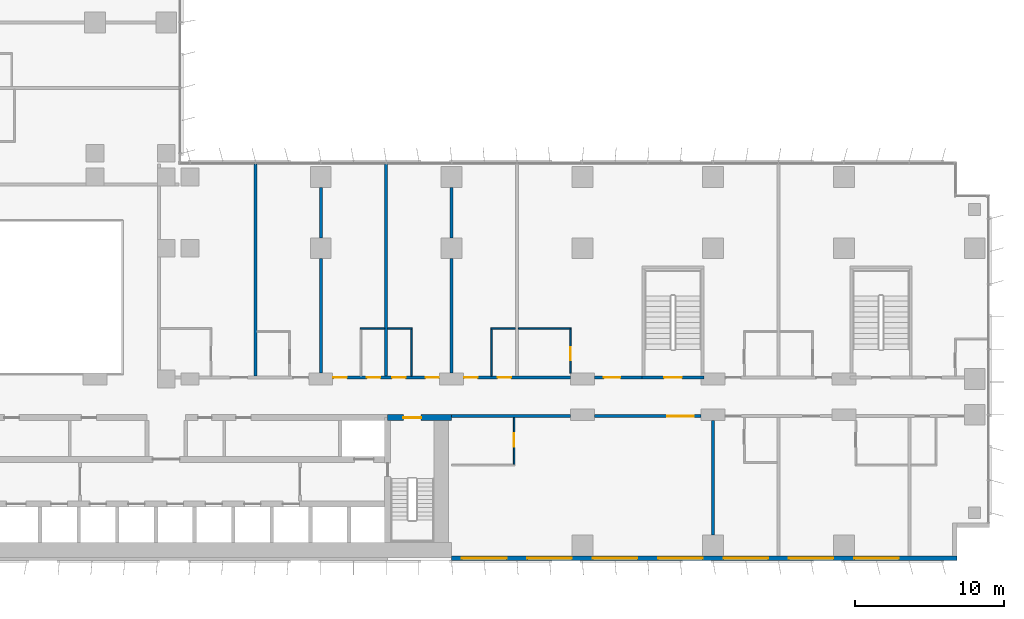
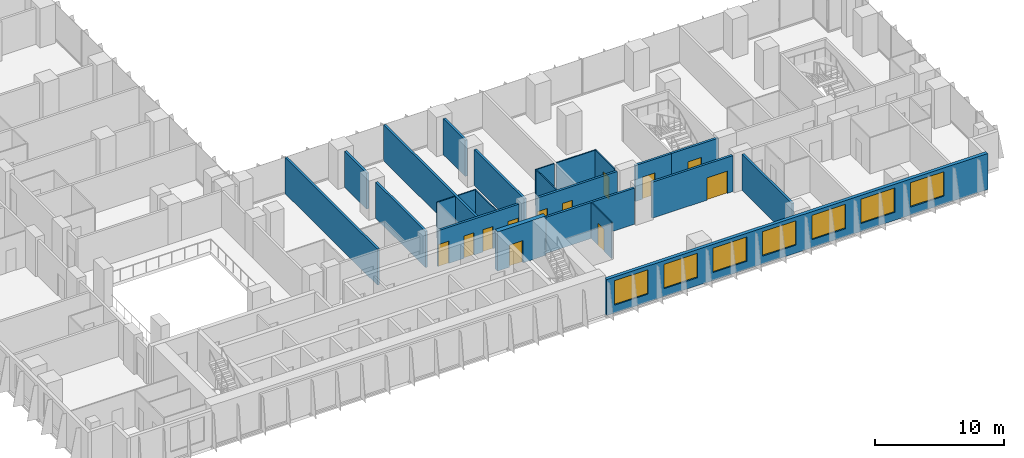
# One storey, part 14 of 24: 23 walls, 12 doors, 7 windows, 19 openings.
"""IFC4 building model written with IfcOpenShell, lengths in metres."""

from ifc_helpers import new_model, si_unit, direction, frame, frame_2d, origin, place, context, subcontext, project, spatial, rectangle, extrude, material, layer, layer_set, type_object, element, fill, save


model = new_model("IFC4")

# Units and contexts
model_context = context("Model", 3, precision=1e-05, world=origin(), true_north=direction((0.0, 1.0)))
body_context = subcontext(model_context, "Body", "Model", "MODEL_VIEW")
ifc_project = project(units=[si_unit("LENGTHUNIT", "METRE"), si_unit("AREAUNIT", "SQUARE_METRE"), si_unit("VOLUMEUNIT", "CUBIC_METRE"), si_unit("PLANEANGLEUNIT", "RADIAN"), si_unit("MASSUNIT", "GRAM", prefix="KILO")], contexts=[model_context])

# Site, building, storey
site_placement = place(None, origin())
site = spatial("IfcSite", under=ifc_project, at=site_placement, CompositionType="ELEMENT")
building_placement = place(site_placement, origin())
building = spatial("IfcBuilding", under=site, at=building_placement, Name="Kemantara Hotel Tower", CompositionType="ELEMENT")
storey_placement = place(building_placement, frame((0.0, 0.0, 63.60009765625)))
storey = spatial("IfcBuildingStorey", under=building, at=storey_placement, Name="L14", CompositionType="ELEMENT", Elevation=63.60009765625)

# Wall, openings, windows
ifc_material_1 = material(Name="Bronze anodised aluminium cladding on insulated steel stud wall", Category="steel")
ifc_layer_1 = layer(ifc_material_1, 0.300048828125)
ifc_layer_set_1 = layer_set([ifc_layer_1], Name="Bronze anodised aluminium cladding on insulated steel stud wall")
wall_type_1 = type_object("IfcWallType", Name="BRONZE METAL-CLAD EXTERNAL WALL 300", PredefinedType="STANDARD", material=ifc_layer_set_1)
wall_1_placement = place(storey_placement, frame((45.0, 0.14990234375, 0.0), z_axis=(0.0, 0.0, 1.0), x_axis=(1.0, 0.0, 0.0)))
wall_1 = element("IfcWall", 1, at=wall_1_placement, inside=storey, type_object=wall_type_1, Name="EXTERNAL WALL L14 T1-R01-3", PredefinedType="STANDARD", context=body_context, shape_type="SweptSolid", body=[
    extrude(rectangle(XDim=34.0, YDim=0.300048828125, at=frame_2d((17.0, 0.0))), origin(), (0.0, 0.0, 1.0), 3.39990234375),
])
opening_1_placement = place(wall_1_placement, frame((0.699951171875, 0.0, 0.75)))
opening_1 = element("IfcOpeningElement", 2, at=opening_1_placement, cuts=wall_1, Name="Opening W1", PredefinedType="OPENING", context=body_context, shape_type="SweptSolid", body=[
    extrude(rectangle(XDim=3.0, YDim=2.300048828125, at=frame_2d((1.5, 1.14990234375))), frame((0.0, 0.159912109375, 0.0), z_axis=(0.0, -1.0, 0.0), x_axis=(1.0, 0.0, 0.0)), (0.0, 0.0, 1.0), 0.320068359375),
])
opening_2_placement = place(wall_1_placement, frame((5.10009765625, 0.0, 0.75)))
opening_2 = element("IfcOpeningElement", 3, at=opening_2_placement, cuts=wall_1, Name="Opening W1", PredefinedType="OPENING", context=body_context, shape_type="SweptSolid", body=[
    extrude(rectangle(XDim=3.0, YDim=2.300048828125, at=frame_2d((1.5, 1.14990234375))), frame((0.0, 0.159912109375, 0.0), z_axis=(0.0, -1.0, 0.0), x_axis=(1.0, 0.0, 0.0)), (0.0, 0.0, 1.0), 0.320068359375),
])
opening_3_placement = place(wall_1_placement, frame((9.5, 0.0, 0.75)))
opening_3 = element("IfcOpeningElement", 4, at=opening_3_placement, cuts=wall_1, Name="Opening W1", PredefinedType="OPENING", context=body_context, shape_type="SweptSolid", body=[
    extrude(rectangle(XDim=3.0, YDim=2.300048828125, at=frame_2d((1.5, 1.14990234375))), frame((0.0, 0.159912109375, 0.0), z_axis=(0.0, -1.0, 0.0), x_axis=(1.0, 0.0, 0.0)), (0.0, 0.0, 1.0), 0.320068359375),
])
opening_4_placement = place(wall_1_placement, frame((13.89990234375, 0.0, 0.75)))
opening_4 = element("IfcOpeningElement", 5, at=opening_4_placement, cuts=wall_1, Name="Opening W1", PredefinedType="OPENING", context=body_context, shape_type="SweptSolid", body=[
    extrude(rectangle(XDim=3.0, YDim=2.300048828125, at=frame_2d((1.5, 1.14990234375))), frame((0.0, 0.159912109375, 0.0), z_axis=(0.0, -1.0, 0.0), x_axis=(1.0, 0.0, 0.0)), (0.0, 0.0, 1.0), 0.320068359375),
])
opening_5_placement = place(wall_1_placement, frame((18.300048828125, 0.0, 0.75)))
opening_5 = element("IfcOpeningElement", 6, at=opening_5_placement, cuts=wall_1, Name="Opening W1", PredefinedType="OPENING", context=body_context, shape_type="SweptSolid", body=[
    extrude(rectangle(XDim=3.0, YDim=2.300048828125, at=frame_2d((1.5, 1.14990234375))), frame((0.0, 0.159912109375, 0.0), z_axis=(0.0, -1.0, 0.0), x_axis=(1.0, 0.0, 0.0)), (0.0, 0.0, 1.0), 0.320068359375),
])
opening_6_placement = place(wall_1_placement, frame((22.699951171875, 0.0, 0.75)))
opening_6 = element("IfcOpeningElement", 7, at=opening_6_placement, cuts=wall_1, Name="Opening W1", PredefinedType="OPENING", context=body_context, shape_type="SweptSolid", body=[
    extrude(rectangle(XDim=3.0, YDim=2.300048828125, at=frame_2d((1.5, 1.14990234375))), frame((0.0, 0.159912109375, 0.0), z_axis=(0.0, -1.0, 0.0), x_axis=(1.0, 0.0, 0.0)), (0.0, 0.0, 1.0), 0.320068359375),
])
opening_7_placement = place(wall_1_placement, frame((27.10009765625, 0.0, 0.75)))
opening_7 = element("IfcOpeningElement", 8, at=opening_7_placement, cuts=wall_1, Name="Opening W1", PredefinedType="OPENING", context=body_context, shape_type="SweptSolid", body=[
    extrude(rectangle(XDim=3.0, YDim=2.300048828125, at=frame_2d((1.5, 1.14990234375))), frame((0.0, 0.159912109375, 0.0), z_axis=(0.0, -1.0, 0.0), x_axis=(1.0, 0.0, 0.0)), (0.0, 0.0, 1.0), 0.320068359375),
])
ifc_material_2 = material(Name="Low-E tinted double insulated glass in bronze anodised aluminium frame", Category="aluminium")
window_type = type_object("IfcWindowType", Name="CHICAGO WINDOW, TRIPLE PANEL 3000x2300", PartitioningType="TRIPLE_PANEL_VERTICAL", PredefinedType="WINDOW", material=ifc_material_2)
window_1_placement = place(opening_1_placement, origin())
window_1 = element("IfcWindow", 9, at=window_1_placement, inside=storey, type_object=window_type, Name="CHICAGO WINDOW L14 T1-R01-450", OverallHeight=2.300048828125, OverallWidth=3.0, PartitioningType="SINGLE_PANEL", PredefinedType="WINDOW", context=body_context, shape_type="SweptSolid", body=[
    extrude(rectangle(XDim=3.0, YDim=2.300048828125, at=frame_2d((1.5, 1.14990234375))), frame((0.0, 0.030029296875, 0.0), z_axis=(0.0, -1.0, 0.0), x_axis=(1.0, 0.0, 0.0)), (0.0, 0.0, 1.0), 0.06005859375),
])
fill(opening_1, window_1)
window_2_placement = place(opening_2_placement, origin())
window_2 = element("IfcWindow", 10, at=window_2_placement, inside=storey, type_object=window_type, Name="CHICAGO WINDOW L14 T1-R01-494", OverallHeight=2.300048828125, OverallWidth=3.0, PartitioningType="SINGLE_PANEL", PredefinedType="WINDOW", context=body_context, shape_type="SweptSolid", body=[
    extrude(rectangle(XDim=3.0, YDim=2.300048828125, at=frame_2d((1.5, 1.14990234375))), frame((0.0, 0.030029296875, 0.0), z_axis=(0.0, -1.0, 0.0), x_axis=(1.0, 0.0, 0.0)), (0.0, 0.0, 1.0), 0.06005859375),
])
fill(opening_2, window_2)
window_3_placement = place(opening_3_placement, origin())
window_3 = element("IfcWindow", 11, at=window_3_placement, inside=storey, type_object=window_type, Name="CHICAGO WINDOW L14 T1-R01-538", OverallHeight=2.300048828125, OverallWidth=3.0, PartitioningType="SINGLE_PANEL", PredefinedType="WINDOW", context=body_context, shape_type="SweptSolid", body=[
    extrude(rectangle(XDim=3.0, YDim=2.300048828125, at=frame_2d((1.5, 1.14990234375))), frame((0.0, 0.030029296875, 0.0), z_axis=(0.0, -1.0, 0.0), x_axis=(1.0, 0.0, 0.0)), (0.0, 0.0, 1.0), 0.06005859375),
])
fill(opening_3, window_3)
window_4_placement = place(opening_4_placement, origin())
window_4 = element("IfcWindow", 12, at=window_4_placement, inside=storey, type_object=window_type, Name="CHICAGO WINDOW L14 T1-R01-582", OverallHeight=2.300048828125, OverallWidth=3.0, PartitioningType="SINGLE_PANEL", PredefinedType="WINDOW", context=body_context, shape_type="SweptSolid", body=[
    extrude(rectangle(XDim=3.0, YDim=2.300048828125, at=frame_2d((1.5, 1.14990234375))), frame((0.0, 0.030029296875, 0.0), z_axis=(0.0, -1.0, 0.0), x_axis=(1.0, 0.0, 0.0)), (0.0, 0.0, 1.0), 0.06005859375),
])
fill(opening_4, window_4)
window_5_placement = place(opening_5_placement, origin())
window_5 = element("IfcWindow", 13, at=window_5_placement, inside=storey, type_object=window_type, Name="CHICAGO WINDOW L14 T1-R01-626", OverallHeight=2.300048828125, OverallWidth=3.0, PartitioningType="SINGLE_PANEL", PredefinedType="WINDOW", context=body_context, shape_type="SweptSolid", body=[
    extrude(rectangle(XDim=3.0, YDim=2.300048828125, at=frame_2d((1.5, 1.14990234375))), frame((0.0, 0.030029296875, 0.0), z_axis=(0.0, -1.0, 0.0), x_axis=(1.0, 0.0, 0.0)), (0.0, 0.0, 1.0), 0.06005859375),
])
fill(opening_5, window_5)
window_6_placement = place(opening_6_placement, origin())
window_6 = element("IfcWindow", 14, at=window_6_placement, inside=storey, type_object=window_type, Name="CHICAGO WINDOW L14 T1-R01-670", OverallHeight=2.300048828125, OverallWidth=3.0, PartitioningType="SINGLE_PANEL", PredefinedType="WINDOW", context=body_context, shape_type="SweptSolid", body=[
    extrude(rectangle(XDim=3.0, YDim=2.300048828125, at=frame_2d((1.5, 1.14990234375))), frame((0.0, 0.030029296875, 0.0), z_axis=(0.0, -1.0, 0.0), x_axis=(1.0, 0.0, 0.0)), (0.0, 0.0, 1.0), 0.06005859375),
])
fill(opening_6, window_6)
window_7_placement = place(opening_7_placement, origin())
window_7 = element("IfcWindow", 15, at=window_7_placement, inside=storey, type_object=window_type, Name="CHICAGO WINDOW L14 T1-R01-714", OverallHeight=2.300048828125, OverallWidth=3.0, PartitioningType="SINGLE_PANEL", PredefinedType="WINDOW", context=body_context, shape_type="SweptSolid", body=[
    extrude(rectangle(XDim=3.0, YDim=2.300048828125, at=frame_2d((1.5, 1.14990234375))), frame((0.0, 0.030029296875, 0.0), z_axis=(0.0, -1.0, 0.0), x_axis=(1.0, 0.0, 0.0)), (0.0, 0.0, 1.0), 0.06005859375),
])
fill(opening_7, window_7)

# Wall, opening, door
ifc_material_3 = material(Name="Concrete fc 70 MPa", Category="concrete")
ifc_layer_2 = layer(ifc_material_3, 0.39990234375)
ifc_layer_set_2 = layer_set([ifc_layer_2], Name="Concrete fc 70 MPa")
wall_type_2 = type_object("IfcWallType", Name="CORE WALL 400 FC70", PredefinedType="SHEAR", material=ifc_layer_set_2)
wall_2_placement = place(storey_placement, frame((40.699951171875, 9.60009765625, 0.0), z_axis=(0.0, 0.0, 1.0), x_axis=(1.0, 0.0, 0.0)))
wall_2 = element("IfcWall", 16, at=wall_2_placement, inside=storey, type_object=wall_type_2, Name="CORE WALL CW-N2", PredefinedType="SHEAR", context=body_context, shape_type="SweptSolid", body=[
    extrude(rectangle(XDim=4.300048828125, YDim=0.39990234375, at=frame_2d((2.14990234375, 0.0))), origin(), (0.0, 0.0, 1.0), 3.699951171875),
])
opening_8_placement = place(wall_2_placement, frame((1.050048828125, 0.0, 0.0)))
opening_8 = element("IfcOpeningElement", 17, at=opening_8_placement, cuts=wall_2, Name="Opening C10-ST2-C", PredefinedType="OPENING", context=body_context, shape_type="SweptSolid", body=[
    extrude(rectangle(XDim=1.199951171875, YDim=2.10009765625, at=frame_2d((0.60009765625, 1.050048828125))), frame((0.0, 0.2099609375, 0.0), z_axis=(0.0, -1.0, 0.0), x_axis=(1.0, 0.0, 0.0)), (0.0, 0.0, 1.0), 0.419921875),
])
ifc_material_4 = material(Name="Steel fire door", Category="steel")
door_type_1 = type_object("IfcDoorType", Name="Fire door FD90 1200 x 2100", OperationType="NOTDEFINED", PredefinedType="DOOR", material=ifc_material_4)
door_1_placement = place(opening_8_placement, frame((1.199951171875, 0.0, 0.0), z_axis=(0.0, 0.0, 1.0), x_axis=(-1.0, 0.0, 0.0)))
door_1 = element("IfcDoor", 18, at=door_1_placement, inside=storey, type_object=door_type_1, Name="Stair ST2 door to corridor", OperationType="SINGLE_SWING_RIGHT", OverallHeight=2.10009765625, OverallWidth=1.199951171875, PredefinedType="DOOR", context=body_context, shape_type="SweptSolid", body=[
    extrude(rectangle(XDim=1.199951171875, YDim=2.10009765625, at=frame_2d((0.60009765625, 1.050048828125))), frame((0.0, 0.02490234375, 0.0), z_axis=(0.0, -1.0, 0.0), x_axis=(1.0, 0.0, 0.0)), (0.0, 0.0, 1.0), 0.050048828125),
])
fill(opening_8, door_1)

# Wall
ifc_material_5 = material(Name="Gypsum board partition, steel studs and mineral wool, 200 mm", Category="steel")
ifc_layer_3 = layer(ifc_material_5, 0.199951171875)
ifc_layer_set_3 = layer_set([ifc_layer_3], Name="Gypsum board partition, steel studs and mineral wool, 200 mm")
wall_type_3 = type_object("IfcWallType", Name="CORRIDOR WALL 200", PredefinedType="PARTITIONING", material=ifc_layer_set_3)
wall_3_placement = place(storey_placement, frame((45.0, 9.699951171875, 0.0), z_axis=(0.0, 0.0, 1.0), x_axis=(1.0, 0.0, 0.0)))
element("IfcWall", 19, at=wall_3_placement, inside=storey, type_object=wall_type_3, Name="CORRIDOR WALL 200 001", PredefinedType="PARTITIONING", context=body_context, shape_type="SweptSolid", body=[
    extrude(rectangle(XDim=8.0, YDim=0.199951171875, at=frame_2d((4.0, 0.0))), origin(), (0.0, 0.0, 1.0), 3.39990234375),
])

# Wall, opening, door
wall_4_placement = place(storey_placement, frame((61.7998046875, 9.699951171875, 0.0), z_axis=(0.0, 0.0, 1.0), x_axis=(-1.0, 0.0, 0.0)))
wall_4 = element("IfcWall", 20, at=wall_4_placement, inside=storey, type_object=wall_type_3, Name="CORRIDOR WALL 200 002", PredefinedType="PARTITIONING", context=body_context, shape_type="SweptSolid", body=[
    extrude(rectangle(XDim=7.19970703125, YDim=0.199951171875, at=frame_2d((3.599853515625, 0.0))), origin(), (0.0, 0.0, 1.0), 3.39990234375),
])
opening_9_placement = place(wall_4_placement, frame((0.5, 0.0, 0.0)))
opening_9 = element("IfcOpeningElement", 21, at=opening_9_placement, cuts=wall_4, Name="Opening F05-001", PredefinedType="OPENING", context=body_context, shape_type="SweptSolid", body=[
    extrude(rectangle(XDim=1.800048828125, YDim=2.10009765625, at=frame_2d((0.89990234375, 1.050048828125))), frame((0.0, 0.10986328125, 0.0), z_axis=(0.0, -1.0, 0.0), x_axis=(1.0, 0.0, 0.0)), (0.0, 0.0, 1.0), 0.219970703125),
])
ifc_material_6 = material(Name="Hardwood veneer door leaf with steel frame", Category="steel")
door_type_2 = type_object("IfcDoorType", Name="AMENITY ROOM DOOR 1800 X 2100 FD30S", OperationType="NOTDEFINED", PredefinedType="DOOR", material=ifc_material_6)
door_2_placement = place(opening_9_placement, origin())
door_2 = element("IfcDoor", 22, at=door_2_placement, inside=storey, type_object=door_type_2, Name="AMENITY ROOM DOOR F05-001", OperationType="DOUBLE_DOOR_SINGLE_SWING", OverallHeight=2.10009765625, OverallWidth=1.800048828125, PredefinedType="DOOR", context=body_context, shape_type="SweptSolid", body=[
    extrude(rectangle(XDim=1.800048828125, YDim=2.10009765625, at=frame_2d((0.89990234375, 1.050048828125))), frame((0.0, 0.02490234375, 0.0), z_axis=(0.0, -1.0, 0.0), x_axis=(1.0, 0.0, 0.0)), (0.0, 0.0, 1.0), 0.050048828125),
])
fill(opening_9, door_2)

# Wall, openings, doors
wall_5_placement = place(storey_placement, frame((37.0, 12.300048828125, 0.0), z_axis=(0.0, 0.0, 1.0), x_axis=(1.0, 0.0, 0.0)))
wall_5 = element("IfcWall", 23, at=wall_5_placement, inside=storey, type_object=wall_type_3, Name="CORRIDOR WALL 200 011", PredefinedType="PARTITIONING", context=body_context, shape_type="SweptSolid", body=[
    extrude(rectangle(XDim=7.199951171875, YDim=0.199951171875, at=frame_2d((3.60009765625, 0.0))), origin(), (0.0, 0.0, 1.0), 3.39990234375),
])
opening_10_placement = place(wall_5_placement, frame((0.0498046875, 0.0, 0.0)))
opening_10 = element("IfcOpeningElement", 24, at=opening_10_placement, cuts=wall_5, Name="Opening F05-013", PredefinedType="OPENING", context=body_context, shape_type="SweptSolid", body=[
    extrude(rectangle(XDim=0.89990234375, YDim=2.10009765625, at=frame_2d((0.449951171875, 1.050048828125))), frame((0.0, 0.10986328125, 0.0), z_axis=(0.0, -1.0, 0.0), x_axis=(1.0, 0.0, 0.0)), (0.0, 0.0, 1.0), 0.219970703125),
])
opening_11_placement = place(wall_5_placement, frame((2.2998046875, 0.0, 0.0)))
opening_11 = element("IfcOpeningElement", 25, at=opening_11_placement, cuts=wall_5, Name="Opening F05-014", PredefinedType="OPENING", context=body_context, shape_type="SweptSolid", body=[
    extrude(rectangle(XDim=0.89990234375, YDim=2.10009765625, at=frame_2d((0.449951171875, 1.050048828125))), frame((0.0, 0.10986328125, 0.0), z_axis=(0.0, -1.0, 0.0), x_axis=(1.0, 0.0, 0.0)), (0.0, 0.0, 1.0), 0.219970703125),
])
opening_12_placement = place(wall_5_placement, frame((6.25, 0.0, 0.0)))
opening_12 = element("IfcOpeningElement", 26, at=opening_12_placement, cuts=wall_5, Name="Opening F05-015", PredefinedType="OPENING", context=body_context, shape_type="SweptSolid", body=[
    extrude(rectangle(XDim=0.89990234375, YDim=2.10009765625, at=frame_2d((0.449951171875, 1.050048828125))), frame((0.0, 0.10986328125, 0.0), z_axis=(0.0, -1.0, 0.0), x_axis=(1.0, 0.0, 0.0)), (0.0, 0.0, 1.0), 0.219970703125),
])
opening_13_placement = place(wall_5_placement, frame((4.0, 0.0, 0.0)))
opening_13 = element("IfcOpeningElement", 27, at=opening_13_placement, cuts=wall_5, Name="Opening F05-016", PredefinedType="OPENING", context=body_context, shape_type="SweptSolid", body=[
    extrude(rectangle(XDim=0.89990234375, YDim=2.10009765625, at=frame_2d((0.449951171875, 1.050048828125))), frame((0.0, 0.10986328125, 0.0), z_axis=(0.0, -1.0, 0.0), x_axis=(1.0, 0.0, 0.0)), (0.0, 0.0, 1.0), 0.219970703125),
])
ifc_material_7 = material(Name="Steel door leaf with steel frame", Category="steel")
door_type_3 = type_object("IfcDoorType", Name="SERVICE ROOM DOOR 900 X 2100 FD60", OperationType="NOTDEFINED", PredefinedType="DOOR", material=ifc_material_7)
door_3_placement = place(opening_10_placement, origin())
door_3 = element("IfcDoor", 28, at=door_3_placement, inside=storey, type_object=door_type_3, Name="SERVICE ROOM DOOR F05-013", OperationType="SINGLE_SWING_LEFT", OverallHeight=2.10009765625, OverallWidth=0.89990234375, PredefinedType="DOOR", context=body_context, shape_type="SweptSolid", body=[
    extrude(rectangle(XDim=0.89990234375, YDim=2.10009765625, at=frame_2d((0.449951171875, 1.050048828125))), frame((0.0, 0.02490234375, 0.0), z_axis=(0.0, -1.0, 0.0), x_axis=(1.0, 0.0, 0.0)), (0.0, 0.0, 1.0), 0.050048828125),
])
fill(opening_10, door_3)
door_4_placement = place(opening_11_placement, origin())
door_4 = element("IfcDoor", 29, at=door_4_placement, inside=storey, type_object=door_type_3, Name="SERVICE ROOM DOOR F05-014", OperationType="SINGLE_SWING_RIGHT", OverallHeight=2.10009765625, OverallWidth=0.89990234375, PredefinedType="DOOR", context=body_context, shape_type="SweptSolid", body=[
    extrude(rectangle(XDim=0.89990234375, YDim=2.10009765625, at=frame_2d((0.449951171875, 1.050048828125))), frame((0.0, 0.02490234375, 0.0), z_axis=(0.0, -1.0, 0.0), x_axis=(1.0, 0.0, 0.0)), (0.0, 0.0, 1.0), 0.050048828125),
])
fill(opening_11, door_4)
door_5_placement = place(opening_12_placement, origin())
door_5 = element("IfcDoor", 30, at=door_5_placement, inside=storey, type_object=door_type_3, Name="SERVICE ROOM DOOR F05-015", OperationType="SINGLE_SWING_RIGHT", OverallHeight=2.10009765625, OverallWidth=0.89990234375, PredefinedType="DOOR", context=body_context, shape_type="SweptSolid", body=[
    extrude(rectangle(XDim=0.89990234375, YDim=2.10009765625, at=frame_2d((0.449951171875, 1.050048828125))), frame((0.0, 0.02490234375, 0.0), z_axis=(0.0, -1.0, 0.0), x_axis=(1.0, 0.0, 0.0)), (0.0, 0.0, 1.0), 0.050048828125),
])
fill(opening_12, door_5)
door_6_placement = place(opening_13_placement, origin())
door_6 = element("IfcDoor", 31, at=door_6_placement, inside=storey, type_object=door_type_3, Name="SERVICE ROOM DOOR F05-016", OperationType="SINGLE_SWING_LEFT", OverallHeight=2.10009765625, OverallWidth=0.89990234375, PredefinedType="DOOR", context=body_context, shape_type="SweptSolid", body=[
    extrude(rectangle(XDim=0.89990234375, YDim=2.10009765625, at=frame_2d((0.449951171875, 1.050048828125))), frame((0.0, 0.02490234375, 0.0), z_axis=(0.0, -1.0, 0.0), x_axis=(1.0, 0.0, 0.0)), (0.0, 0.0, 1.0), 0.050048828125),
])
fill(opening_13, door_6)

wall_6_placement = place(storey_placement, frame((45.800048828125, 12.300048828125, 0.0), z_axis=(0.0, 0.0, 1.0), x_axis=(1.0, 0.0, 0.0)))
wall_6 = element("IfcWall", 32, at=wall_6_placement, inside=storey, type_object=wall_type_3, Name="CORRIDOR WALL 200 012", PredefinedType="PARTITIONING", context=body_context, shape_type="SweptSolid", body=[
    extrude(rectangle(XDim=7.199951171875, YDim=0.199951171875, at=frame_2d((3.60009765625, 0.0))), origin(), (0.0, 0.0, 1.0), 3.39990234375),
])
opening_14_placement = place(wall_6_placement, frame((0.0498046875, 0.0, 0.0)))
opening_14 = element("IfcOpeningElement", 33, at=opening_14_placement, cuts=wall_6, Name="Opening F05-017", PredefinedType="OPENING", context=body_context, shape_type="SweptSolid", body=[
    extrude(rectangle(XDim=0.89990234375, YDim=2.10009765625, at=frame_2d((0.449951171875, 1.050048828125))), frame((0.0, 0.10986328125, 0.0), z_axis=(0.0, -1.0, 0.0), x_axis=(1.0, 0.0, 0.0)), (0.0, 0.0, 1.0), 0.219970703125),
])
opening_15_placement = place(wall_6_placement, frame((2.2998046875, 0.0, 0.0)))
opening_15 = element("IfcOpeningElement", 34, at=opening_15_placement, cuts=wall_6, Name="Opening F05-018", PredefinedType="OPENING", context=body_context, shape_type="SweptSolid", body=[
    extrude(rectangle(XDim=0.89990234375, YDim=2.10009765625, at=frame_2d((0.449951171875, 1.050048828125))), frame((0.0, 0.10986328125, 0.0), z_axis=(0.0, -1.0, 0.0), x_axis=(1.0, 0.0, 0.0)), (0.0, 0.0, 1.0), 0.219970703125),
])
door_7_placement = place(opening_14_placement, origin())
door_7 = element("IfcDoor", 35, at=door_7_placement, inside=storey, type_object=door_type_3, Name="SERVICE ROOM DOOR F05-017", OperationType="SINGLE_SWING_LEFT", OverallHeight=2.10009765625, OverallWidth=0.89990234375, PredefinedType="DOOR", context=body_context, shape_type="SweptSolid", body=[
    extrude(rectangle(XDim=0.89990234375, YDim=2.10009765625, at=frame_2d((0.449951171875, 1.050048828125))), frame((0.0, 0.02490234375, 0.0), z_axis=(0.0, -1.0, 0.0), x_axis=(1.0, 0.0, 0.0)), (0.0, 0.0, 1.0), 0.050048828125),
])
fill(opening_14, door_7)
door_8_placement = place(opening_15_placement, origin())
door_8 = element("IfcDoor", 36, at=door_8_placement, inside=storey, type_object=door_type_3, Name="SERVICE ROOM DOOR F05-018", OperationType="SINGLE_SWING_RIGHT", OverallHeight=2.10009765625, OverallWidth=0.89990234375, PredefinedType="DOOR", context=body_context, shape_type="SweptSolid", body=[
    extrude(rectangle(XDim=0.89990234375, YDim=2.10009765625, at=frame_2d((0.449951171875, 1.050048828125))), frame((0.0, 0.02490234375, 0.0), z_axis=(0.0, -1.0, 0.0), x_axis=(1.0, 0.0, 0.0)), (0.0, 0.0, 1.0), 0.050048828125),
])
fill(opening_15, door_8)

# Wall, opening, door
wall_7_placement = place(storey_placement, frame((54.60009765625, 12.300048828125, 0.0), z_axis=(0.0, 0.0, 1.0), x_axis=(1.0, 0.0, 0.0)))
wall_7 = element("IfcWall", 37, at=wall_7_placement, inside=storey, type_object=wall_type_3, Name="CORRIDOR WALL 200 013", PredefinedType="PARTITIONING", context=body_context, shape_type="SweptSolid", body=[
    extrude(rectangle(XDim=3.199951171875, YDim=0.199951171875, at=frame_2d((1.60009765625, 0.0))), origin(), (0.0, 0.0, 1.0), 3.39990234375),
])
opening_16_placement = place(wall_7_placement, frame((0.64990234375, 0.0, 0.0)))
opening_16 = element("IfcOpeningElement", 38, at=opening_16_placement, cuts=wall_7, Name="Opening F05-019", PredefinedType="OPENING", context=body_context, shape_type="SweptSolid", body=[
    extrude(rectangle(XDim=1.10009765625, YDim=2.10009765625, at=frame_2d((0.550048828125, 1.050048828125))), frame((0.0, 0.10986328125, 0.0), z_axis=(0.0, -1.0, 0.0), x_axis=(1.0, 0.0, 0.0)), (0.0, 0.0, 1.0), 0.219970703125),
])
door_type_4 = type_object("IfcDoorType", Name="SUITE ENTRANCE DOOR 1100 X 2100 FD30S", OperationType="NOTDEFINED", PredefinedType="DOOR", material=ifc_material_6)
door_9_placement = place(opening_16_placement, origin())
door_9 = element("IfcDoor", 39, at=door_9_placement, inside=storey, type_object=door_type_4, Name="SUITE ENTRANCE DOOR F05-019", OperationType="SINGLE_SWING_RIGHT", OverallHeight=2.10009765625, OverallWidth=1.10009765625, PredefinedType="DOOR", context=body_context, shape_type="SweptSolid", body=[
    extrude(rectangle(XDim=1.10009765625, YDim=2.10009765625, at=frame_2d((0.550048828125, 1.050048828125))), frame((0.0, 0.02490234375, 0.0), z_axis=(0.0, -1.0, 0.0), x_axis=(1.0, 0.0, 0.0)), (0.0, 0.0, 1.0), 0.050048828125),
])
fill(opening_16, door_9)

ifc_material_8 = material(Name="Concrete fc 40 MPa", Category="concrete")
ifc_layer_4 = layer(ifc_material_8, 0.199951171875)
ifc_layer_set_4 = layer_set([ifc_layer_4], Name="Concrete fc 40 MPa")
wall_type_4 = type_object("IfcWallType", Name="Concrete stair wall 200 mm", PredefinedType="SHEAR", material=ifc_layer_set_4)
wall_8_placement = place(storey_placement, frame((57.800048828125, 12.300048828125, 0.0), z_axis=(0.0, 0.0, 1.0), x_axis=(1.0, 0.0, 0.0)))
wall_8 = element("IfcWall", 40, at=wall_8_placement, inside=storey, type_object=wall_type_4, Name="Stair ST3 enclosure wall with door", PredefinedType="SHEAR", context=body_context, shape_type="SweptSolid", body=[
    extrude(rectangle(XDim=4.199951171875, YDim=0.199951171875, at=frame_2d((2.10009765625, 0.0))), origin(), (0.0, 0.0, 1.0), 3.39990234375),
])
opening_17_placement = place(wall_8_placement, frame((1.5, 0.0, 0.0)))
opening_17 = element("IfcOpeningElement", 41, at=opening_17_placement, cuts=wall_8, Name="Opening ST3-C", PredefinedType="OPENING", context=body_context, shape_type="SweptSolid", body=[
    extrude(rectangle(XDim=1.199951171875, YDim=2.10009765625, at=frame_2d((0.60009765625, 1.050048828125))), frame((0.0, 0.10986328125, 0.0), z_axis=(0.0, -1.0, 0.0), x_axis=(1.0, 0.0, 0.0)), (0.0, 0.0, 1.0), 0.219970703125),
])
door_10_placement = place(opening_17_placement, origin())
door_10 = element("IfcDoor", 42, at=door_10_placement, inside=storey, type_object=door_type_1, Name="Stair ST3 door", OperationType="SINGLE_SWING_RIGHT", OverallHeight=2.10009765625, OverallWidth=1.199951171875, PredefinedType="DOOR", context=body_context, shape_type="SweptSolid", body=[
    extrude(rectangle(XDim=1.199951171875, YDim=2.10009765625, at=frame_2d((0.60009765625, 1.050048828125))), frame((0.0, 0.02490234375, 0.0), z_axis=(0.0, -1.0, 0.0), x_axis=(1.0, 0.0, 0.0)), (0.0, 0.0, 1.0), 0.050048828125),
])
fill(opening_17, door_10)

# Walls
ifc_layer_5 = layer(ifc_material_5, 0.199951171875)
ifc_layer_set_5 = layer_set([ifc_layer_5], Name="Gypsum board partition, steel studs and mineral wool, 200 mm")
wall_type_5 = type_object("IfcWallType", Name="GUEST ROOM PARTY WALL 200", PredefinedType="PARTITIONING", material=ifc_layer_set_5)
wall_9_placement = place(storey_placement, frame((62.60009765625, 1.7001953125, 0.0), z_axis=(0.0, 0.0, 1.0), x_axis=(0.0, 1.0, 0.0)))
element("IfcWall", 43, at=wall_9_placement, inside=storey, type_object=wall_type_5, Name="GUEST ROOM PARTY WALL 200 005", PredefinedType="PARTITIONING", context=body_context, shape_type="SweptSolid", body=[
    extrude(rectangle(XDim=7.69970703125, YDim=0.199951171875, at=frame_2d((3.849853515625, 0.0))), origin(), (0.0, 0.0, 1.0), 3.39990234375),
])
wall_10_placement = place(storey_placement, frame((31.800048828125, 12.39990234375, 0.0), z_axis=(0.0, 0.0, 1.0), x_axis=(0.0, 1.0, 0.0)))
element("IfcWall", 44, at=wall_10_placement, inside=storey, type_object=wall_type_5, Name="GUEST ROOM PARTY WALL 200 019", PredefinedType="PARTITIONING", context=body_context, shape_type="SweptSolid", body=[
    extrude(rectangle(XDim=14.27001953125, YDim=0.199951171875, at=frame_2d((7.135009765625, 0.0))), origin(), (0.0, 0.0, 1.0), 3.39990234375),
])
wall_11_placement = place(storey_placement, frame((36.199951171875, 12.60009765625, 0.0), z_axis=(0.0, 0.0, 1.0), x_axis=(0.0, 1.0, 0.0)))
element("IfcWall", 45, at=wall_11_placement, inside=storey, type_object=wall_type_5, Name="GUEST ROOM PARTY WALL 200 020", PredefinedType="PARTITIONING", context=body_context, shape_type="SweptSolid", body=[
    extrude(rectangle(XDim=7.69970703125, YDim=0.199951171875, at=frame_2d((3.849853515625, 0.0))), origin(), (0.0, 0.0, 1.0), 3.39990234375),
])
wall_12_placement = place(storey_placement, frame((36.199951171875, 21.7001953125, 0.0), z_axis=(0.0, 0.0, 1.0), x_axis=(0.0, 1.0, 0.0)))
element("IfcWall", 46, at=wall_12_placement, inside=storey, type_object=wall_type_5, Name="GUEST ROOM PARTY WALL 200 021", PredefinedType="PARTITIONING", context=body_context, shape_type="SweptSolid", body=[
    extrude(rectangle(XDim=3.399658203125, YDim=0.199951171875, at=frame_2d((1.69970703125, 0.0))), origin(), (0.0, 0.0, 1.0), 3.39990234375),
])
wall_13_placement = place(storey_placement, frame((40.60009765625, 12.39990234375, 0.0), z_axis=(0.0, 0.0, 1.0), x_axis=(0.0, 1.0, 0.0)))
element("IfcWall", 47, at=wall_13_placement, inside=storey, type_object=wall_type_5, Name="GUEST ROOM PARTY WALL 200 022", PredefinedType="PARTITIONING", context=body_context, shape_type="SweptSolid", body=[
    extrude(rectangle(XDim=14.27001953125, YDim=0.199951171875, at=frame_2d((7.135009765625, 0.0))), origin(), (0.0, 0.0, 1.0), 3.39990234375),
])
wall_14_placement = place(storey_placement, frame((45.0, 12.60009765625, 0.0), z_axis=(0.0, 0.0, 1.0), x_axis=(0.0, 1.0, 0.0)))
element("IfcWall", 48, at=wall_14_placement, inside=storey, type_object=wall_type_5, Name="GUEST ROOM PARTY WALL 200 023", PredefinedType="PARTITIONING", context=body_context, shape_type="SweptSolid", body=[
    extrude(rectangle(XDim=7.69970703125, YDim=0.199951171875, at=frame_2d((3.849853515625, 0.0))), origin(), (0.0, 0.0, 1.0), 3.39990234375),
])
wall_15_placement = place(storey_placement, frame((45.0, 21.7001953125, 0.0), z_axis=(0.0, 0.0, 1.0), x_axis=(0.0, 1.0, 0.0)))
element("IfcWall", 49, at=wall_15_placement, inside=storey, type_object=wall_type_5, Name="GUEST ROOM PARTY WALL 200 024", PredefinedType="PARTITIONING", context=body_context, shape_type="SweptSolid", body=[
    extrude(rectangle(XDim=3.399658203125, YDim=0.199951171875, at=frame_2d((1.69970703125, 0.0))), origin(), (0.0, 0.0, 1.0), 3.39990234375),
])

# Wall, opening, door
ifc_material_9 = material(Name="Gypsum board partition on steel studs, 100 mm", Category="steel")
ifc_layer_6 = layer(ifc_material_9, 0.10009765625)
ifc_layer_set_6 = layer_set([ifc_layer_6], Name="Gypsum board partition on steel studs, 100 mm")
wall_type_6 = type_object("IfcWallType", Name="ROOM PARTITION 100", PredefinedType="PARTITIONING", material=ifc_layer_set_6)
wall_16_placement = place(storey_placement, frame((49.199951171875, 6.449951171875, 0.0), z_axis=(0.0, 0.0, 1.0), x_axis=(0.0, 1.0, 0.0)))
wall_16 = element("IfcWall", 50, at=wall_16_placement, inside=storey, type_object=wall_type_6, Name="ROOM PARTITION 100 068", PredefinedType="PARTITIONING", context=body_context, shape_type="SweptSolid", body=[
    extrude(rectangle(XDim=3.150146484375, YDim=0.10009765625, at=frame_2d((1.5751953125, 0.0))), origin(), (0.0, 0.0, 1.0), 3.39990234375),
])
opening_18_placement = place(wall_16_placement, frame((1.199951171875, 0.0, 0.0)))
opening_18 = element("IfcOpeningElement", 51, at=opening_18_placement, cuts=wall_16, Name="Opening F05-002", PredefinedType="OPENING", context=body_context, shape_type="SweptSolid", body=[
    extrude(rectangle(XDim=0.89990234375, YDim=2.10009765625, at=frame_2d((0.449951171875, 1.050048828125))), frame((0.0, 0.06005859375, 0.0), z_axis=(0.0, -1.0, 0.0), x_axis=(1.0, 0.0, 0.0)), (0.0, 0.0, 1.0), 0.1201171875),
])
door_type_5 = type_object("IfcDoorType", Name="INTERNAL DOOR 900 X 2100", OperationType="NOTDEFINED", PredefinedType="DOOR", material=ifc_material_6)
door_11_placement = place(opening_18_placement, origin())
door_11 = element("IfcDoor", 52, at=door_11_placement, inside=storey, type_object=door_type_5, Name="INTERNAL DOOR F05-002", OperationType="SINGLE_SWING_RIGHT", OverallHeight=2.10009765625, OverallWidth=0.89990234375, PredefinedType="DOOR", context=body_context, shape_type="SweptSolid", body=[
    extrude(rectangle(XDim=0.89990234375, YDim=2.10009765625, at=frame_2d((0.449951171875, 1.050048828125))), frame((0.0, 0.02490234375, 0.0), z_axis=(0.0, -1.0, 0.0), x_axis=(1.0, 0.0, 0.0)), (0.0, 0.0, 1.0), 0.050048828125),
])
fill(opening_18, door_11)

# Walls
wall_17_placement = place(storey_placement, frame((38.85009765625, 15.60009765625, 0.0), z_axis=(0.0, 0.0, 1.0), x_axis=(1.0, 0.0, 0.0)))
element("IfcWall", 53, at=wall_17_placement, inside=storey, type_object=wall_type_6, Name="ROOM PARTITION 100 075", PredefinedType="PARTITIONING", context=body_context, shape_type="SweptSolid", body=[
    extrude(rectangle(XDim=1.64990234375, YDim=0.10009765625, at=frame_2d((0.824951171875, 0.0))), origin(), (0.0, 0.0, 1.0), 3.39990234375),
])
for number, where, z_axis, x_axis, name in (
    (54, (40.699951171875, 15.60009765625, 0.0), (0.0, 0.0, 1.0), (1.0, 0.0, 0.0), "ROOM PARTITION 100 076"),
    (55, (47.64990234375, 15.60009765625, 0.0), (0.0, 0.0, 1.0), (1.0, 0.0, 0.0), "ROOM PARTITION 100 077"),
):
    element("IfcWall", number, at=place(storey_placement, frame(where, z_axis=z_axis, x_axis=x_axis)), inside=storey, type_object=wall_type_6, Name=name, PredefinedType="PARTITIONING", context=body_context, shape_type="SweptSolid", body=[
        extrude(rectangle(XDim=1.650146484375, YDim=0.10009765625, at=frame_2d((0.8251953125, 0.0))), origin(), (0.0, 0.0, 1.0), 3.39990234375),
    ])
wall_18_placement = place(storey_placement, frame((49.5, 15.60009765625, 0.0), z_axis=(0.0, 0.0, 1.0), x_axis=(1.0, 0.0, 0.0)))
element("IfcWall", 56, at=wall_18_placement, inside=storey, type_object=wall_type_6, Name="ROOM PARTITION 100 078", PredefinedType="PARTITIONING", context=body_context, shape_type="SweptSolid", body=[
    extrude(rectangle(XDim=3.550048828125, YDim=0.10009765625, at=frame_2d((1.77490234375, 0.0))), origin(), (0.0, 0.0, 1.0), 3.39990234375),
])
for number, where, z_axis, x_axis, name in (
    (57, (42.300048828125, 12.39990234375, 0.0), (0.0, 0.0, 1.0), (0.0, 1.0, 0.0), "ROOM PARTITION 100 085"),
    (58, (47.699951171875, 12.39990234375, 0.0), (0.0, 0.0, 1.0), (0.0, 1.0, 0.0), "ROOM PARTITION 100 086"),
):
    element("IfcWall", number, at=place(storey_placement, frame(where, z_axis=z_axis, x_axis=x_axis)), inside=storey, type_object=wall_type_6, Name=name, PredefinedType="PARTITIONING", context=body_context, shape_type="SweptSolid", body=[
        extrude(rectangle(XDim=3.150146484375, YDim=0.10009765625, at=frame_2d((1.5751953125, 0.0))), origin(), (0.0, 0.0, 1.0), 3.39990234375),
    ])

# Wall, opening, door
wall_19_placement = place(storey_placement, frame((53.0, 12.60009765625, 0.0), z_axis=(0.0, 0.0, 1.0), x_axis=(0.0, 1.0, 0.0)))
wall_19 = element("IfcWall", 59, at=wall_19_placement, inside=storey, type_object=wall_type_6, Name="ROOM PARTITION 100 087", PredefinedType="PARTITIONING", context=body_context, shape_type="SweptSolid", body=[
    extrude(rectangle(XDim=2.949951171875, YDim=0.10009765625, at=frame_2d((1.47509765625, 0.0))), origin(), (0.0, 0.0, 1.0), 3.39990234375),
])
opening_19_placement = place(wall_19_placement, frame((0.849853515625, 0.0, 0.0)))
opening_19 = element("IfcOpeningElement", 60, at=opening_19_placement, cuts=wall_19, Name="Opening F05-020", PredefinedType="OPENING", context=body_context, shape_type="SweptSolid", body=[
    extrude(rectangle(XDim=0.89990234375, YDim=2.10009765625, at=frame_2d((0.449951171875, 1.050048828125))), frame((0.0, 0.06005859375, 0.0), z_axis=(0.0, -1.0, 0.0), x_axis=(1.0, 0.0, 0.0)), (0.0, 0.0, 1.0), 0.1201171875),
])
door_type_6 = type_object("IfcDoorType", Name="BATHROOM DOOR 900 X 2100", OperationType="NOTDEFINED", PredefinedType="DOOR", material=ifc_material_6)
door_12_placement = place(opening_19_placement, origin())
door_12 = element("IfcDoor", 61, at=door_12_placement, inside=storey, type_object=door_type_6, Name="BATHROOM DOOR F05-020", OperationType="SINGLE_SWING_LEFT", OverallHeight=2.10009765625, OverallWidth=0.89990234375, PredefinedType="DOOR", context=body_context, shape_type="SweptSolid", body=[
    extrude(rectangle(XDim=0.89990234375, YDim=2.10009765625, at=frame_2d((0.449951171875, 1.050048828125))), frame((0.0, 0.02490234375, 0.0), z_axis=(0.0, -1.0, 0.0), x_axis=(1.0, 0.0, 0.0)), (0.0, 0.0, 1.0), 0.050048828125),
])
fill(opening_19, door_12)

save(model, "model.ifc")
